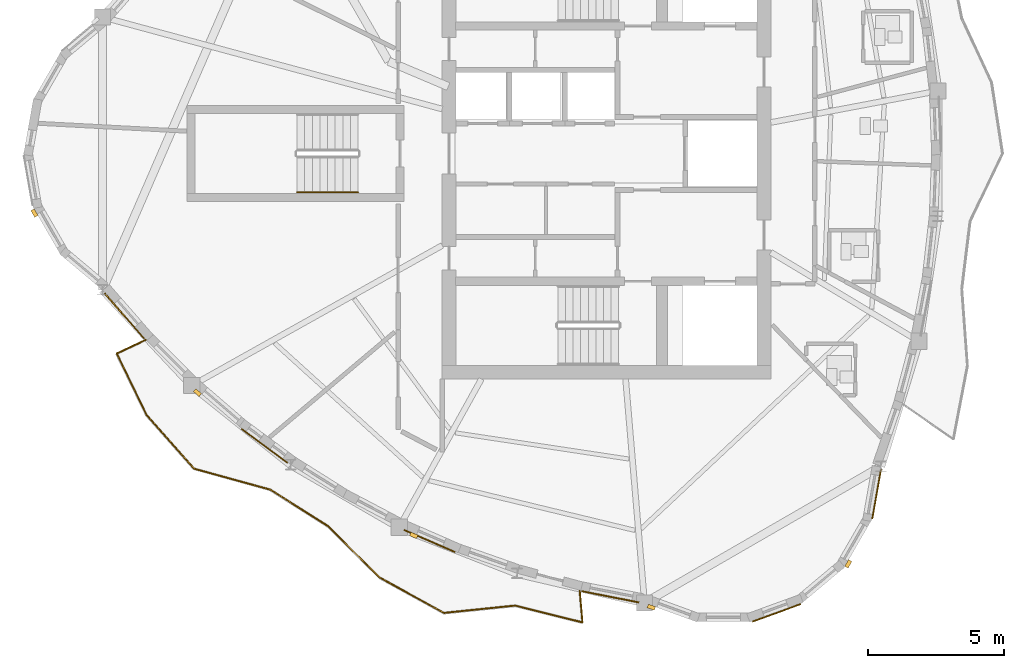
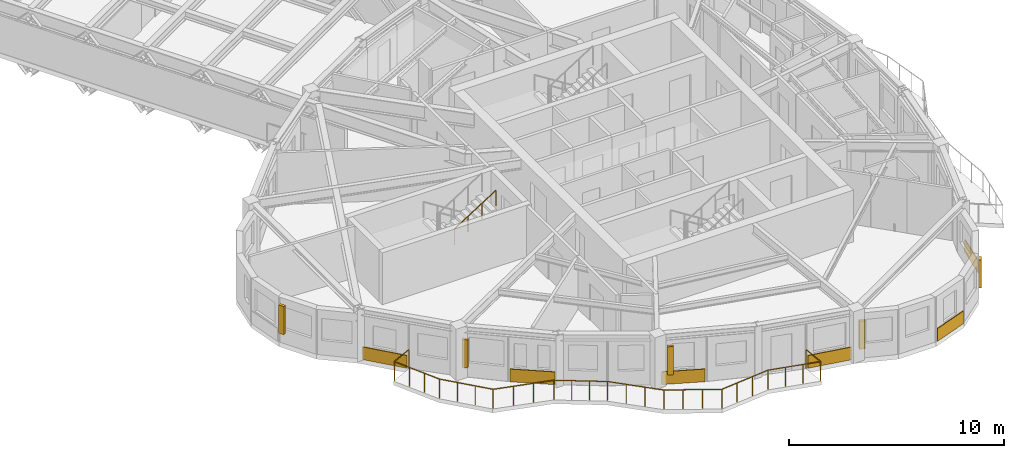
# One storey, part 11 of 14: 6 coverings, 5 shading devices, 2 railings.
"""IFC4 building model written with IfcOpenShell, lengths in metres."""

from ifc_helpers import new_model, si_unit, direction, frame, origin, origin_2d, place, context, subcontext, project, spatial, rectangle, circle, extrude, source, transform, mapped, material, layer, layer_set, type_object, element, save


model = new_model("IFC4")

# Units and contexts
model_context = context("Model", 3, precision=1e-05, world=origin(), true_north=direction((0.0, 1.0)))
body_context = subcontext(model_context, "Body", "Model", "MODEL_VIEW")
ifc_project = project(units=[si_unit("LENGTHUNIT", "METRE"), si_unit("AREAUNIT", "SQUARE_METRE"), si_unit("VOLUMEUNIT", "CUBIC_METRE"), si_unit("PLANEANGLEUNIT", "RADIAN"), si_unit("MASSUNIT", "GRAM", prefix="KILO")], contexts=[model_context])

# Site, building, storey
site_placement = place(None, origin())
site = spatial("IfcSite", under=ifc_project, at=site_placement, CompositionType="ELEMENT")
building_placement = place(site_placement, origin())
building = spatial("IfcBuilding", under=site, at=building_placement, Name="Qafzar Sky-Pleat Residences", CompositionType="ELEMENT")
storey_placement = place(building_placement, frame((0.0, 0.0, 208.39990234375)))
storey = spatial("IfcBuildingStorey", under=building, at=storey_placement, Name="L62", CompositionType="ELEMENT", Elevation=208.39990234375)

# Shading devices
ifc_material_1 = material(Name="Honed Riyadh limestone solar fin", Category="masonry")
ifc_layer_1 = layer(ifc_material_1, 0.139892578125)
ifc_layer_set_1 = layer_set([ifc_layer_1], Name="Honed Riyadh limestone solar fin")
shading_device_type = type_object("IfcShadingDeviceType", Name="SHD-FIN-STONE", PredefinedType="SHUTTER", material=ifc_layer_set_1)
shared_shape_1 = source(origin(), body_context, "Body", "SweptSolid", [
    extrude(rectangle(XDim=0.139892578125, YDim=0.280029296875, at=origin_2d()), origin(), (0.0, 0.0, 1.0), 1.60009765625),
])
for number, where, z_axis, x_axis, name in (
    (1, (9.28955078125, 23.80859375, 0.60009765625), (0.0, 0.0, 1.0), (-0.86604422228, -0.499967403994, 0.0), "L62 Limestone Solar Fin 5"),
    (2, (15.291015625, 17.1962890625, 0.60009765625), (0.0, 0.0, 1.0), (-0.652839263747, -0.757496465807, 0.0), "L62 Limestone Solar Fin 9"),
    (3, (23.255615234375, 11.939208984375, 0.60009765625), (0.0, 0.0, 1.0), (-0.398680391658, -0.917089933053, 0.0), "L62 Limestone Solar Fin 13"),
    (4, (31.999267578125, 9.295654296875, 0.60009765625), (0.0, 0.0, 1.0), (-0.342053959704, -0.939680311942, 0.0), "L62 Limestone Solar Fin 17"),
    (5, (39.2529296875, 10.891845703125, 0.60009765625), (0.0, 0.0, 1.0), (0.86603181203, -0.499988900429, 0.0), "L62 Limestone Solar Fin 21"),
):
    element("IfcShadingDevice", number, at=place(storey_placement, frame(where, z_axis=z_axis, x_axis=x_axis)), inside=storey, type_object=shading_device_type, Name=name, PredefinedType="SHUTTER", context=body_context, shape_type="MappedRepresentation", body=[
        mapped(shared_shape_1, transform((0.0, 0.0, 0.0), x_axis=(1.0, 0.0, 0.0), y_axis=(0.0, 1.0, 0.0), z_axis=(0.0, 0.0, 1.0), scale=1.0)),
    ])

# Coverings
ifc_material_2 = material(Name="Honed Riyadh Tuwaiq limestone cladding", Category="masonry")
ifc_layer_2 = layer(ifc_material_2, 0.044921875)
ifc_layer_set_2 = layer_set([ifc_layer_2], Name="Honed Riyadh Tuwaiq limestone cladding")
covering_type = type_object("IfcCoveringType", Name="COV-CLAD-STONE", PredefinedType="CLADDING", material=ifc_layer_set_2)
shared_shape_2 = source(origin(), body_context, "Body", "SweptSolid", [
    extrude(rectangle(XDim=1.88134765625, YDim=0.044921875, at=origin_2d()), origin(), (0.0, 0.0, 1.0), 0.719970703125),
])
covering_1_placement = place(storey_placement, frame((36.61376953125, 9.08935546875, 0.02001953125), z_axis=(0.0, 0.0, 1.0), x_axis=(0.939694209735, 0.342015777694, 0.0)))
element("IfcCovering", 6, at=covering_1_placement, inside=storey, type_object=covering_type, Name="L62 Riyadh Limestone Spandrel Cladding 19", PredefinedType="CLADDING", context=body_context, shape_type="MappedRepresentation", body=[
    mapped(shared_shape_2, transform((0.0, 0.0, 0.0), x_axis=(1.0, 0.0, 0.0), y_axis=(0.0, 1.0, 0.0), z_axis=(0.0, 0.0, 1.0), scale=1.0)),
])
shared_shape_3 = source(origin(), body_context, "Body", "SweptSolid", [
    extrude(rectangle(XDim=1.8291015625, YDim=0.044921875, at=origin_2d()), origin(), (0.0, 0.0, 1.0), 0.719970703125),
])
covering_2_placement = place(storey_placement, frame((40.294189453125, 13.453369140625, 0.02001953125), z_axis=(0.0, 0.0, 1.0), x_axis=(0.173695508338, 0.984799406165, 0.0)))
element("IfcCovering", 7, at=covering_2_placement, inside=storey, type_object=covering_type, Name="L62 Riyadh Limestone Spandrel Cladding 22", PredefinedType="CLADDING", context=body_context, shape_type="MappedRepresentation", body=[
    mapped(shared_shape_3, transform((0.0, 0.0, 0.0), x_axis=(1.0, 0.0, 0.0), y_axis=(0.0, 1.0, 0.0), z_axis=(0.0, 0.0, 1.0), scale=1.0)),
])

# Railing
ifc_material_3 = material(Name="Laminated glass and bronze steel balustrade", Category="steel")
railing_type_1 = type_object("IfcRailingType", Name="RAIL-BAL-1100", PredefinedType="BALUSTRADE", material=ifc_material_3)
shared_shape_4 = source(origin(), body_context, "Body", "SweptSolid", [
    extrude(circle(Radius=0.02392578125, at=origin_2d()), frame((0.0, 0.0, 1.076171875), z_axis=(-0.905142554346, -0.425108170131, 0.0), x_axis=(0.425108170131, -0.905142554346, 0.0)), (0.0, 0.0, 1.0), 1.177978515625),
    extrude(circle(Radius=0.02392578125, at=origin_2d()), frame((-1.066162109375, -0.500732421875, 1.076171875), z_axis=(0.437343392561, -0.899294588543, 0.0), x_axis=(0.899294588543, 0.437343392561, 0.0)), (0.0, 0.0, 1.0), 2.530029296875),
    extrude(circle(Radius=0.02392578125, at=origin_2d()), frame((0.040283203125, -2.77587890625, 1.076171875), z_axis=(0.663752158726, -0.74795258659, 0.0), x_axis=(0.74795258659, 0.663752158726, 0.0)), (0.0, 0.0, 1.0), 2.626953125),
    extrude(circle(Radius=0.02392578125, at=origin_2d()), frame((1.783935546875, -4.74072265625, 1.076171875), z_axis=(0.964116962328, -0.26547783891, 0.0), x_axis=(0.26547783891, 0.964116962328, 0.0)), (0.0, 0.0, 1.0), 2.913330078125),
    extrude(circle(Radius=0.02392578125, at=origin_2d()), frame((4.5927734375, -5.51416015625, 1.076171875), z_axis=(0.844768889997, -0.535131313318, 0.0), x_axis=(0.535131313318, 0.844768889997, 0.0)), (0.0, 0.0, 1.0), 2.492431640625),
    extrude(circle(Radius=0.02392578125, at=origin_2d()), frame((6.6982421875, -6.847900390625, 1.076171875), z_axis=(0.710393397684, -0.703804817067, 0.0), x_axis=(0.703804817067, 0.710393397684, 0.0)), (0.0, 0.0, 1.0), 2.705078125),
    extrude(circle(Radius=0.02392578125, at=origin_2d()), frame((8.619873046875, -8.751708984375, 1.076171875), z_axis=(0.876175728039, -0.481991798266, 0.0), x_axis=(0.481991798266, 0.876175728039, 0.0)), (0.0, 0.0, 1.0), 2.694091796875),
    extrude(circle(Radius=0.02392578125, at=origin_2d()), frame((10.98046875, -10.05029296875, 1.076171875), z_axis=(0.994700616791, 0.102813826673, 0.0), x_axis=(-0.102813826673, 0.994700616791, 0.0)), (0.0, 0.0, 1.0), 2.6357421875),
    extrude(circle(Radius=0.02392578125, at=origin_2d()), frame((13.602294921875, -9.779296875, 1.076171875), z_axis=(0.970086186888, -0.242760767029, 0.0), x_axis=(0.242760767029, 0.970086186888, 0.0)), (0.0, 0.0, 1.0), 2.551513671875),
    extrude(circle(Radius=0.02392578125, at=origin_2d()), frame((16.077392578125, -10.398681640625, 1.076171875), z_axis=(-0.084348911434, 0.996436280522, 0.0), x_axis=(-0.996436280522, -0.084348911434, 0.0)), (0.0, 0.0, 1.0), 1.177978515625),
    extrude(circle(Radius=0.02099609375, at=origin_2d()), origin(), (0.0, 0.0, 1.0), 1.052001953125),
    extrude(circle(Radius=0.02099609375, at=origin_2d()), frame((-1.066162109375, -0.500732421875, 0.0)), (0.0, 0.0, 1.0), 1.052001953125),
    extrude(circle(Radius=0.02099609375, at=origin_2d()), frame((-0.697265625, -1.259033203125, 0.0)), (0.0, 0.0, 1.0), 1.052001953125),
    extrude(circle(Radius=0.02099609375, at=origin_2d()), frame((-0.32861328125, -2.017578125, 0.0)), (0.0, 0.0, 1.0), 1.052001953125),
    extrude(circle(Radius=0.02099609375, at=origin_2d()), frame((0.040283203125, -2.77587890625, 0.0)), (0.0, 0.0, 1.0), 1.052001953125),
    extrude(circle(Radius=0.02099609375, at=origin_2d()), frame((0.62158203125, -3.430908203125, 0.0)), (0.0, 0.0, 1.0), 1.052001953125),
    extrude(circle(Radius=0.02099609375, at=origin_2d()), frame((1.20263671875, -4.085693359375, 0.0)), (0.0, 0.0, 1.0), 1.052001953125),
    extrude(circle(Radius=0.02099609375, at=origin_2d()), frame((1.783935546875, -4.74072265625, 0.0)), (0.0, 0.0, 1.0), 1.052001953125),
    extrude(circle(Radius=0.02099609375, at=origin_2d()), frame((2.72021484375, -4.99853515625, 0.0)), (0.0, 0.0, 1.0), 1.052001953125),
    extrude(circle(Radius=0.02099609375, at=origin_2d()), frame((3.656494140625, -5.25634765625, 0.0)), (0.0, 0.0, 1.0), 1.052001953125),
    extrude(circle(Radius=0.02099609375, at=origin_2d()), frame((4.5927734375, -5.51416015625, 0.0)), (0.0, 0.0, 1.0), 1.052001953125),
    extrude(circle(Radius=0.02099609375, at=origin_2d()), frame((5.294677734375, -5.958740234375, 0.0)), (0.0, 0.0, 1.0), 1.052001953125),
    extrude(circle(Radius=0.02099609375, at=origin_2d()), frame((5.996337890625, -6.4033203125, 0.0)), (0.0, 0.0, 1.0), 1.052001953125),
    extrude(circle(Radius=0.02099609375, at=origin_2d()), frame((6.6982421875, -6.847900390625, 0.0)), (0.0, 0.0, 1.0), 1.052001953125),
    extrude(circle(Radius=0.02099609375, at=origin_2d()), frame((7.3388671875, -7.482421875, 0.0)), (0.0, 0.0, 1.0), 1.052001953125),
    extrude(circle(Radius=0.02099609375, at=origin_2d()), frame((7.979248046875, -8.1171875, 0.0)), (0.0, 0.0, 1.0), 1.052001953125),
    extrude(circle(Radius=0.02099609375, at=origin_2d()), frame((8.619873046875, -8.751708984375, 0.0)), (0.0, 0.0, 1.0), 1.052001953125),
    extrude(circle(Radius=0.02099609375, at=origin_2d()), frame((9.40673828125, -9.1845703125, 0.0)), (0.0, 0.0, 1.0), 1.052001953125),
    extrude(circle(Radius=0.02099609375, at=origin_2d()), frame((10.193603515625, -9.617431640625, 0.0)), (0.0, 0.0, 1.0), 1.052001953125),
    extrude(circle(Radius=0.02099609375, at=origin_2d()), frame((10.98046875, -10.05029296875, 0.0)), (0.0, 0.0, 1.0), 1.052001953125),
    extrude(circle(Radius=0.02099609375, at=origin_2d()), frame((11.8544921875, -9.9599609375, 0.0)), (0.0, 0.0, 1.0), 1.052001953125),
    extrude(circle(Radius=0.02099609375, at=origin_2d()), frame((12.728271484375, -9.86962890625, 0.0)), (0.0, 0.0, 1.0), 1.052001953125),
    extrude(circle(Radius=0.02099609375, at=origin_2d()), frame((13.602294921875, -9.779296875, 0.0)), (0.0, 0.0, 1.0), 1.052001953125),
    extrude(circle(Radius=0.02099609375, at=origin_2d()), frame((14.42724609375, -9.98583984375, 0.0)), (0.0, 0.0, 1.0), 1.052001953125),
    extrude(circle(Radius=0.02099609375, at=origin_2d()), frame((15.25244140625, -10.192138671875, 0.0)), (0.0, 0.0, 1.0), 1.052001953125),
    extrude(circle(Radius=0.02099609375, at=origin_2d()), frame((16.077392578125, -10.398681640625, 0.0)), (0.0, 0.0, 1.0), 1.052001953125),
    extrude(circle(Radius=0.02099609375, at=origin_2d()), frame((15.97802734375, -9.224853515625, 0.0)), (0.0, 0.0, 1.0), 1.052001953125),
])
railing_1_placement = place(storey_placement, frame((13.3857421875, 19.13720703125, 0.0)))
element("IfcRailing", 8, at=railing_1_placement, inside=storey, type_object=railing_type_1, Name="L62 Pleated Balcony 2 Balustrade", PredefinedType="BALUSTRADE", context=body_context, shape_type="MappedRepresentation", body=[
    mapped(shared_shape_4, transform((0.0, 0.0, 0.0), x_axis=(1.0, 0.0, 0.0), y_axis=(0.0, 1.0, 0.0), z_axis=(0.0, 0.0, 1.0), scale=1.0)),
])

# Coverings
shared_shape_5 = source(origin(), body_context, "Body", "SweptSolid", [
    extrude(rectangle(XDim=2.208251953125, YDim=0.044921875, at=origin_2d()), origin(), (0.0, 0.0, 1.0), 0.719970703125),
])
covering_3_placement = place(storey_placement, frame((12.598388671875, 20.0234375, 0.02001953125), z_axis=(0.0, 0.0, 1.0), x_axis=(0.657615428033, -0.753353800556, 0.0)))
element("IfcCovering", 9, at=covering_3_placement, inside=storey, type_object=covering_type, Name="L62 Riyadh Limestone Spandrel Cladding 7", PredefinedType="CLADDING", context=body_context, shape_type="MappedRepresentation", body=[
    mapped(shared_shape_5, transform((0.0, 0.0, 0.0), x_axis=(1.0, 0.0, 0.0), y_axis=(0.0, 1.0, 0.0), z_axis=(0.0, 0.0, 1.0), scale=1.0)),
])
shared_shape_6 = source(origin(), body_context, "Body", "SweptSolid", [
    extrude(rectangle(XDim=2.103759765625, YDim=0.044921875, at=origin_2d()), origin(), (0.0, 0.0, 1.0), 0.719970703125),
])
covering_4_placement = place(storey_placement, frame((17.758544921875, 15.2373046875, 0.02001953125), z_axis=(0.0, 0.0, 1.0), x_axis=(0.803818578384, -0.594874518739, 0.0)))
element("IfcCovering", 10, at=covering_4_placement, inside=storey, type_object=covering_type, Name="L62 Riyadh Limestone Spandrel Cladding 10", PredefinedType="CLADDING", context=body_context, shape_type="MappedRepresentation", body=[
    mapped(shared_shape_6, transform((0.0, 0.0, 0.0), x_axis=(1.0, 0.0, 0.0), y_axis=(0.0, 1.0, 0.0), z_axis=(0.0, 0.0, 1.0), scale=1.0)),
])
shared_shape_7 = source(origin(), body_context, "Body", "SweptSolid", [
    extrude(rectangle(XDim=2.040771484375, YDim=0.044921875, at=origin_2d()), origin(), (0.0, 0.0, 1.0), 0.719970703125),
])
covering_5_placement = place(storey_placement, frame((23.83203125, 11.7353515625, 0.02001953125), z_axis=(0.0, 0.0, 1.0), x_axis=(0.91708407899, -0.398693857568, 0.0)))
element("IfcCovering", 11, at=covering_5_placement, inside=storey, type_object=covering_type, Name="L62 Riyadh Limestone Spandrel Cladding 13", PredefinedType="CLADDING", context=body_context, shape_type="MappedRepresentation", body=[
    mapped(shared_shape_7, transform((0.0, 0.0, 0.0), x_axis=(1.0, 0.0, 0.0), y_axis=(0.0, 1.0, 0.0), z_axis=(0.0, 0.0, 1.0), scale=1.0)),
])
shared_shape_8 = source(origin(), body_context, "Body", "SweptSolid", [
    extrude(rectangle(XDim=2.145263671875, YDim=0.044921875, at=origin_2d()), origin(), (0.0, 0.0, 1.0), 0.719970703125),
])
covering_6_placement = place(storey_placement, frame((30.490478515625, 9.68017578125, 0.02001953125), z_axis=(0.0, 0.0, 1.0), x_axis=(0.98123195438, -0.192831148168, 0.0)))
element("IfcCovering", 12, at=covering_6_placement, inside=storey, type_object=covering_type, Name="L62 Riyadh Limestone Spandrel Cladding 16", PredefinedType="CLADDING", context=body_context, shape_type="MappedRepresentation", body=[
    mapped(shared_shape_8, transform((0.0, 0.0, 0.0), x_axis=(1.0, 0.0, 0.0), y_axis=(0.0, 1.0, 0.0), z_axis=(0.0, 0.0, 1.0), scale=1.0)),
])

# Railing
ifc_material_4 = material(Name="Brushed stainless steel handrail", Category="steel")
railing_type_2 = type_object("IfcRailingType", Name="RAIL-STAIR-HAND", PredefinedType="HANDRAIL", material=ifc_material_4)
shared_shape_9 = source(origin(), body_context, "Body", "SweptSolid", [
    extrude(circle(Radius=0.02392578125, at=origin_2d()), frame((0.0, 0.0, 0.8759765625), z_axis=(0.84418770128, 0.0, 0.536047689118), x_axis=(0.0, 1.0, 0.0)), (0.0, 0.0, 1.0), 2.6533203125),
    extrude(circle(Radius=0.02099609375, at=origin_2d()), origin(), (0.0, 0.0, 1.0), 0.851806640625),
    extrude(circle(Radius=0.02099609375, at=origin_2d()), frame((0.74658203125, 0.0, 0.47412109375)), (0.0, 0.0, 1.0), 0.851806640625),
    extrude(circle(Radius=0.02099609375, at=origin_2d()), frame((1.493408203125, 0.0, 0.9482421875)), (0.0, 0.0, 1.0), 0.851806640625),
    extrude(circle(Radius=0.02099609375, at=origin_2d()), frame((2.239990234375, 0.0, 1.42236328125)), (0.0, 0.0, 1.0), 0.851806640625),
])
railing_2_placement = place(storey_placement, frame((18.9599609375, 24.574951171875, 1.77783203125)))
element("IfcRailing", 13, at=railing_2_placement, inside=storey, type_object=railing_type_2, Name="L62 ST3 stair handrail 2", PredefinedType="HANDRAIL", context=body_context, shape_type="MappedRepresentation", body=[
    mapped(shared_shape_9, transform((0.0, 0.0, 0.0), x_axis=(1.0, 0.0, 0.0), y_axis=(0.0, 1.0, 0.0), z_axis=(0.0, 0.0, 1.0), scale=1.0)),
])

save(model, "model.ifc")
